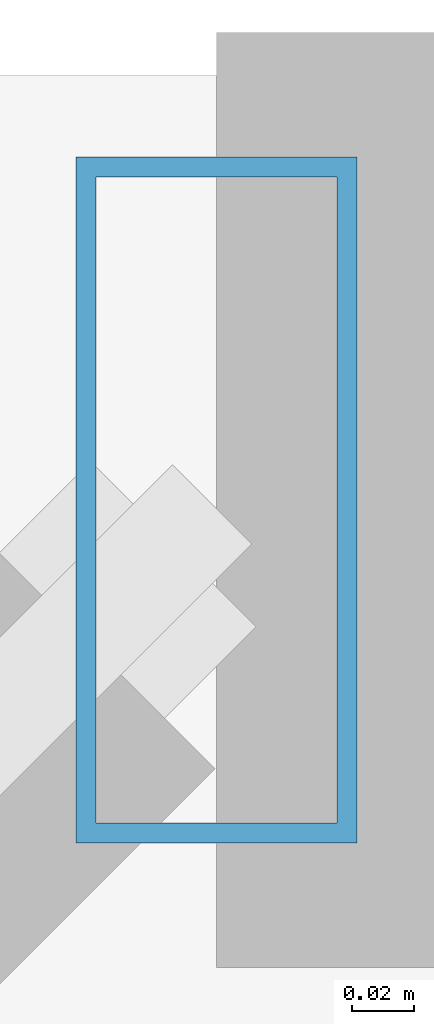
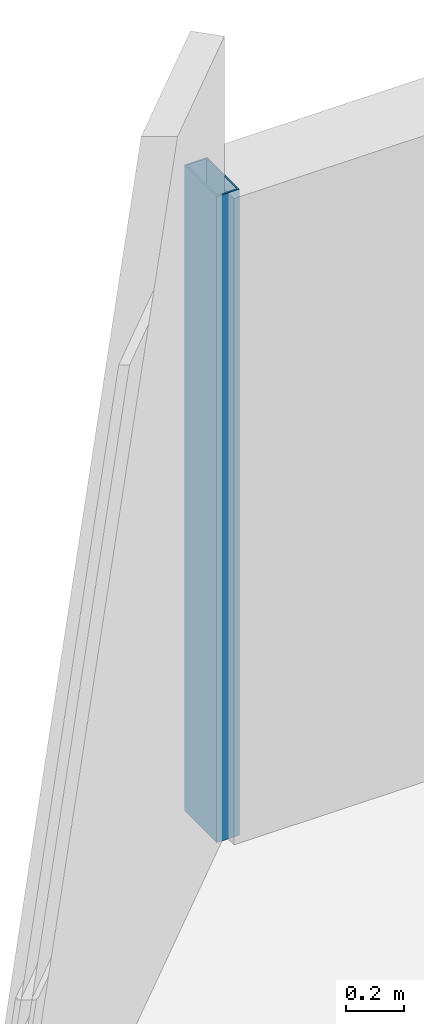
# One storey, part 17 of 35: 1 member, 1 element without a shape of its own.
"""IFC4 building model written with IfcOpenShell, lengths in metres."""

from ifc_helpers import new_model, si_unit, direction, frame, origin, origin_2d, place, context, subcontext, project, spatial, hollow_rectangle, extrude, material, material_profile, profile_set, type_object, element, aggregate, save


model = new_model("IFC4")

# Units and contexts
model_context = context("Model", 3, precision=1e-05, world=origin(), true_north=direction((0.0, 1.0)))
body_context = subcontext(model_context, "Body", "Model", "MODEL_VIEW")
ifc_project = project(units=[si_unit("LENGTHUNIT", "METRE"), si_unit("AREAUNIT", "SQUARE_METRE"), si_unit("VOLUMEUNIT", "CUBIC_METRE"), si_unit("PLANEANGLEUNIT", "RADIAN"), si_unit("MASSUNIT", "GRAM", prefix="KILO")], contexts=[model_context])

# Site, building, storey
site_placement = place(None, origin())
site = spatial("IfcSite", under=ifc_project, at=site_placement, CompositionType="ELEMENT")
building_placement = place(site_placement, origin())
building = spatial("IfcBuilding", under=site, at=building_placement, Name="Thornwick Lancets Civic Towers", CompositionType="ELEMENT")
storey_placement = place(building_placement, frame((0.0, 0.0, 64.5)))
storey = spatial("IfcBuildingStorey", under=building, at=storey_placement, Name="L16", CompositionType="ELEMENT", Elevation=64.5)

# Curtain wall, member
ifc_material_1 = material(Name="Low-zone chamfered-corner unitised glass curtain wall", Category="glass")
curtain_wall_type = type_object("IfcCurtainWallType", Name="CW_SYS_03", PredefinedType="NOTDEFINED", material=ifc_material_1)
curtain_wall_placement = place(storey_placement, origin())
curtain_wall = element("IfcCurtainWall", 1, at=curtain_wall_placement, inside=storey, type_object=curtain_wall_type, Name="L16 Curtain Wall CW-L16-B-E5", PredefinedType="NOTDEFINED")
ifc_material_2 = material(Name="Thermally broken bronze aluminium S355", Category="steel")
ifc_material_profile = material_profile(ifc_material_2, hollow_rectangle(XDim=0.090087890625, YDim=0.219970703125, WallThickness=0.00634765625, at=origin_2d()), Name="RHS 220x90x6.3")
ifc_profile_set = profile_set([ifc_material_profile], Name="Thermally broken bronze aluminium S355")
member_type = type_object("IfcMemberType", Name="CW_MUL_220", PredefinedType="MULLION", material=ifc_profile_set)
member_placement = place(storey_placement, frame((73.14453125, 51.263671875, 0.0), z_axis=(0.0, 0.0, 1.0), x_axis=(1.0, 0.0, 0.0)))
member = element("IfcMember", 2, at=member_placement, type_object=member_type, Name="CW-L16-B-E5 Mullion 0", PredefinedType="MULLION", context=body_context, shape_type="SweptSolid", body=[
    extrude(hollow_rectangle(XDim=0.090087890625, YDim=0.219970703125, WallThickness=0.00634765625, at=origin_2d()), origin(), (0.0, 0.0, 1.0), 2.699951171875),
])
aggregate(curtain_wall, [member])

save(model, "model.ifc")
